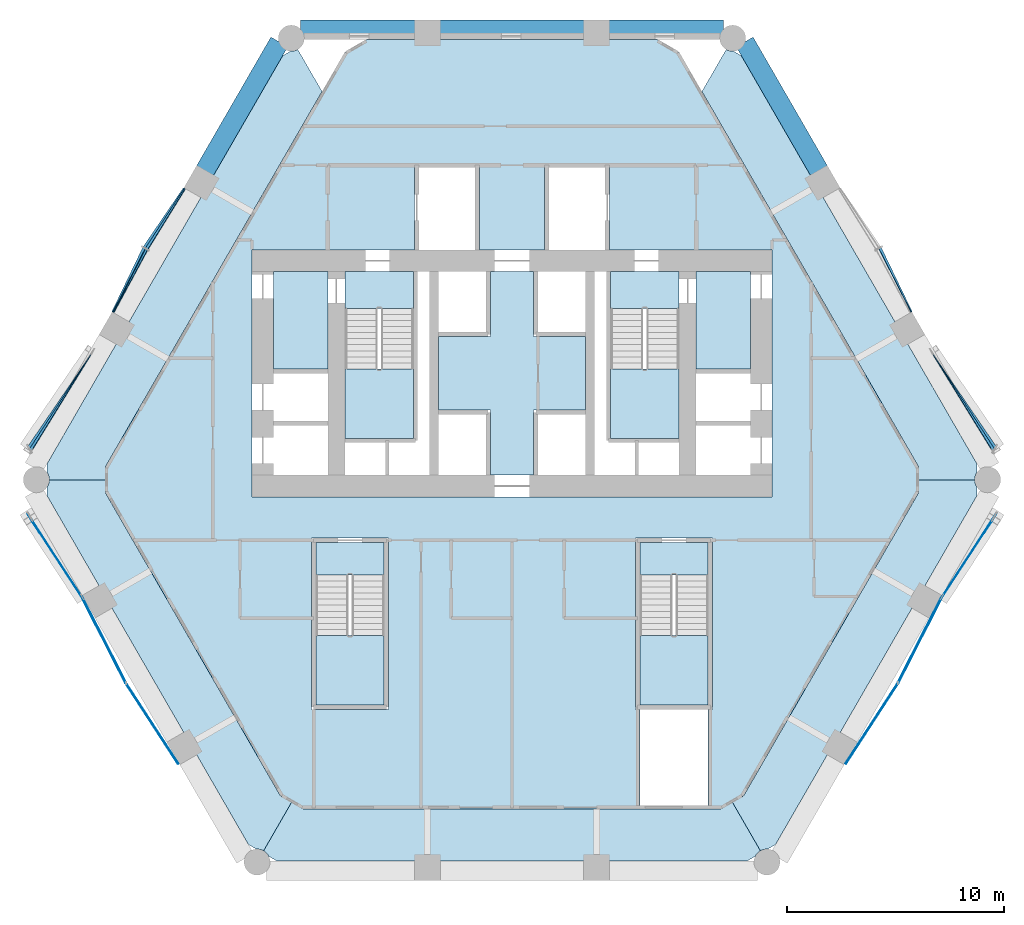
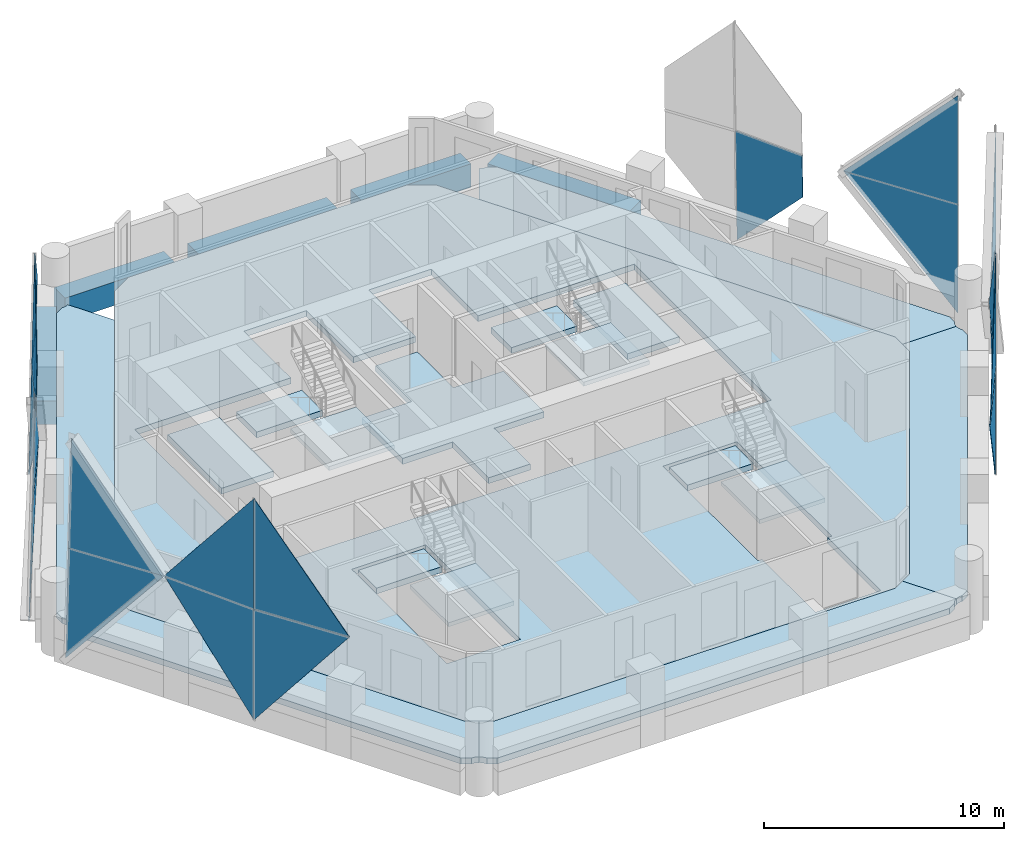
# One storey, part 8 of 17: 21 plates, 17 slabs, 5 beams, 19 elements without a shape of their own.
"""IFC4 building model written with IfcOpenShell, lengths in metres."""

from ifc_helpers import new_model, si_unit, direction, frame, origin, origin_2d, place, context, subcontext, project, spatial, polyline, rectangle, outline, extrude, material, layer, layer_set, material_profile, profile_set, type_object, element, aggregate, save


model = new_model("IFC4")

# Units and contexts
model_context = context("Model", 3, precision=1e-05, world=origin(), true_north=direction((0.0, 1.0)))
body_context = subcontext(model_context, "Body", "Model", "MODEL_VIEW")
ifc_project = project(units=[si_unit("LENGTHUNIT", "METRE"), si_unit("AREAUNIT", "SQUARE_METRE"), si_unit("VOLUMEUNIT", "CUBIC_METRE"), si_unit("PLANEANGLEUNIT", "RADIAN"), si_unit("MASSUNIT", "GRAM", prefix="KILO")], contexts=[model_context])

# Site, building, storey
site_placement = place(None, origin())
site = spatial("IfcSite", under=ifc_project, at=site_placement, CompositionType="ELEMENT")
building_placement = place(site_placement, origin())
building = spatial("IfcBuilding", under=site, at=building_placement, Name="Ostrander Bayou Hotel Tower", CompositionType="ELEMENT")
storey_placement = place(building_placement, frame((0.0, 0.0, 127.25)))
storey = spatial("IfcBuildingStorey", under=building, at=storey_placement, Name="L31", CompositionType="ELEMENT", Elevation=127.25)

# Beams
ifc_material_1 = material(Name="Concrete f'c 70 MPa", Category="concrete")
ifc_material_profile = material_profile(ifc_material_1, rectangle(XDim=0.89990234375, YDim=1.199951171875, at=origin_2d()))
ifc_profile_set = profile_set([ifc_material_profile], Name="Concrete f'c 70 MPa")
beam_type = type_object("IfcBeamType", Name="SP2 spandrel beam 900 x 1200 mm f'c 70 MPa", PredefinedType="SPANDREL", material=ifc_profile_set)
beam_1_placement = place(storey_placement, frame((9.7578125, 19.85009765625, -0.60009765625), z_axis=(-1.0, 0.0, 0.0), x_axis=(0.0, -1.0, 0.0)))
element("IfcBeam", 1, at=beam_1_placement, inside=storey, type_object=beam_type, Name="SP2 L31 N-1", PredefinedType="SPANDREL", context=body_context, shape_type="SweptSolid", body=[
    extrude(rectangle(XDim=0.89990234375, YDim=1.199951171875, at=origin_2d()), origin(), (0.0, 0.0, 1.0), 5.281005859375),
])
beam_2_placement = place(storey_placement, frame((3.336669921875, 19.85009765625, -0.60009765625), z_axis=(-1.0, 0.0, 0.0), x_axis=(0.0, -1.0, 0.0)))
element("IfcBeam", 2, at=beam_2_placement, inside=storey, type_object=beam_type, Name="SP2 L31 N-2", PredefinedType="SPANDREL", context=body_context, shape_type="SweptSolid", body=[
    extrude(rectangle(XDim=0.89990234375, YDim=1.199951171875, at=origin_2d()), origin(), (0.0, 0.0, 1.0), 6.67333984375),
])
beam_3_placement = place(storey_placement, frame((-4.476806640625, 19.85009765625, -0.60009765625), z_axis=(-1.0, 0.0, 0.0), x_axis=(0.0, -1.0, 0.0)))
element("IfcBeam", 3, at=beam_3_placement, inside=storey, type_object=beam_type, Name="SP2 L31 N-3", PredefinedType="SPANDREL", context=body_context, shape_type="SweptSolid", body=[
    extrude(rectangle(XDim=0.89990234375, YDim=1.199951171875, at=origin_2d()), origin(), (0.0, 0.0, 1.0), 5.281005859375),
])
for number, where, z_axis, x_axis, name in (
    (4, (-10.73388671875, 19.286376953125, -0.60009765625), (-0.500001814021, -0.866024356456, 0.0), (0.866024356456, -0.500001814021, 0.0), "SP2 L31 NW-1"),
    (5, (14.163330078125, 13.346435546875, -0.60009765625), (-0.500001814021, 0.866024356456, 0.0), (-0.866024356456, -0.500001814021, 0.0), "SP2 L31 NE-3"),
):
    element("IfcBeam", number, at=place(storey_placement, frame(where, z_axis=z_axis, x_axis=x_axis)), inside=storey, type_object=beam_type, Name=name, PredefinedType="SPANDREL", context=body_context, shape_type="SweptSolid", body=[
        extrude(rectangle(XDim=0.89990234375, YDim=1.199951171875, at=origin_2d()), origin(), (0.0, 0.0, 1.0), 6.85888671875),
    ])

# Curtain wall, plate
ifc_material_2 = material(Name="Aluminium and clear glass", Category="aluminium")
curtain_wall_type = type_object("IfcCurtainWallType", Name="CW-LAT lattice glazing", PredefinedType="NOTDEFINED", material=ifc_material_2)
curtain_wall_1_placement = place(storey_placement, origin())
curtain_wall_1 = element("IfcCurtainWall", 6, at=curtain_wall_1_placement, inside=storey, type_object=curtain_wall_type, Name="CW-LAT L31 NW 1", PredefinedType="NOTDEFINED")
ifc_material_3 = material(Name="Clear laminated glass", Category="glass")
ifc_layer_1 = layer(ifc_material_3, 0.028076171875)
ifc_layer_set_1 = layer_set([ifc_layer_1], Name="CW-LA glazing panel 28 mm")
plate_type = type_object("IfcPlateType", Name="CW-LA glazing panel 28 mm", PredefinedType="CURTAIN_PANEL", material=ifc_layer_set_1)
plate_1_placement = place(storey_placement, frame((-15.159423828125, 12.5654296875, 2.878173828125), z_axis=(-0.838664643494, 0.544213283707, 0.021760459349), x_axis=(-0.388463405339, -0.56968520667, -0.724261657147)))
plate_1 = element("IfcPlate", 7, at=plate_1_placement, type_object=plate_type, Name="CW-LAT panel 1", PredefinedType="CURTAIN_PANEL", context=body_context, shape_type="SweptSolid", body=[
    extrude(outline(polyline([(0.0, 0.0), (4.802511132549458, -4.440892098500626e-16), (0.7223330344284677, 3.8739947713482854), (-1.5548959111869025, 1.4808485363644042), (0.0, 0.0)])), origin(), (0.0, 0.0, -1.0), 0.028076171875),
])

curtain_wall_2_placement = place(storey_placement, origin())
curtain_wall_2 = element("IfcCurtainWall", 8, at=curtain_wall_2_placement, inside=storey, type_object=curtain_wall_type, Name="CW-LAT L31 NW 2", PredefinedType="NOTDEFINED")
plate_2_placement = place(storey_placement, frame((-15.080810546875, 12.5146484375, 7.177001953125), z_axis=(-0.838668477295, 0.54420649775, 0.021782401119), x_axis=(-0.361540231116, -0.586184489623, 0.72503545114)))
plate_2 = element("IfcPlate", 9, at=plate_2_placement, type_object=plate_type, Name="CW-LAT panel 2", PredefinedType="CURTAIN_PANEL", context=body_context, shape_type="SweptSolid", body=[
    extrude(outline(polyline([(0.0, 0.0), (4.789976066144692, 0.0), (0.7142149430020557, -3.878644352715165), (-1.5610211698020977, -1.4822062349512228), (0.0, 0.0)])), origin(), (0.0, 0.0, -1.0), 0.028076171875),
])

curtain_wall_3_placement = place(storey_placement, origin())
curtain_wall_3 = element("IfcCurtainWall", 10, at=curtain_wall_3_placement, inside=storey, type_object=curtain_wall_type, Name="CW-LAT L31 NW 3", PredefinedType="NOTDEFINED")
plate_3_placement = place(storey_placement, frame((-18.461669921875, 6.84619140625, 2.877685546875), z_axis=(-0.890619830153, 0.454226260057, 0.021790429377), x_axis=(0.299143269489, 0.621285816961, -0.724235623235)))
plate_3 = element("IfcPlate", 11, at=plate_3_placement, type_object=plate_type, Name="CW-LAT panel 3", PredefinedType="CURTAIN_PANEL", context=body_context, shape_type="SweptSolid", body=[
    extrude(outline(polyline([(0.0, 0.0), (4.8020039389450035, 0.0), (0.7217242848966112, -3.8738878101164542), (-1.5557985042347005, -1.4806164365959447), (0.0, 0.0)])), origin(), (0.0, 0.0, -1.0), 0.028076171875),
])
aggregate(curtain_wall_3, [plate_3])

curtain_wall_4_placement = place(storey_placement, origin())
curtain_wall_4 = element("IfcCurtainWall", 12, at=curtain_wall_4_placement, inside=storey, type_object=curtain_wall_type, Name="CW-LAT L31 NW 4", PredefinedType="NOTDEFINED")
plate_4_placement = place(storey_placement, frame((-18.37890625, 6.8017578125, 7.175537109375), z_axis=(-0.890638126844, 0.454188106349, 0.021837835579), x_axis=(0.32691133167, 0.606195528077, 0.725021353455)))
plate_4 = element("IfcPlate", 13, at=plate_4_placement, type_object=plate_type, Name="CW-LAT panel 4", PredefinedType="CURTAIN_PANEL", context=body_context, shape_type="SweptSolid", body=[
    extrude(outline(polyline([(0.0, 0.0), (4.79208070644431, -4.440892098500626e-16), (0.7161846501313411, 3.878502553101149), (-1.559208505953024, 1.4820005929577231), (0.0, 0.0)])), origin(), (0.0, 0.0, -1.0), 0.028076171875),
])
aggregate(curtain_wall_4, [plate_4])

# Plate
plate_5_placement = place(storey_placement, frame((-19.348388671875, 5.00390625, 5.02490234375), z_axis=(-0.838643953233, 0.544217169978, 0.022449757366), x_axis=(-0.38637037562, -0.565337513178, -0.72877392176)))
plate_5 = element("IfcPlate", 14, at=plate_5_placement, type_object=plate_type, Name="CW-LAT panel 5", PredefinedType="CURTAIN_PANEL", context=body_context, shape_type="SweptSolid", body=[
    extrude(outline(polyline([(0.0, 0.0), (7.718443034319231, 8.881784197001252e-16), (3.6609270418790736, 3.898365934711436), (0.0, 0.0)])), origin(), (0.0, 0.0, -1.0), 0.028076171875),
])

aggregate(curtain_wall_1, [plate_1, plate_5])

plate_6_placement = place(storey_placement, frame((-19.348388671875, 5.00390625, 5.02490234375), z_axis=(-0.838644193759, 0.544217326061, 0.022436984861), x_axis=(-0.36381654259, -0.590349724172, 0.720503106522)))
plate_6 = element("IfcPlate", 15, at=plate_6_placement, type_object=plate_type, Name="CW-LAT panel 6", PredefinedType="CURTAIN_PANEL", context=body_context, shape_type="SweptSolid", body=[
    extrude(outline(polyline([(0.0, 0.0), (7.807044756757508, 0.0), (3.707476717652524, -3.85412248831618), (0.0, 0.0)])), origin(), (0.0, 0.0, -1.0), 0.028076171875),
])

aggregate(curtain_wall_2, [plate_2, plate_6])

# Curtain wall, plate
curtain_wall_5_placement = place(storey_placement, origin())
curtain_wall_5 = element("IfcCurtainWall", 16, at=curtain_wall_5_placement, inside=storey, type_object=curtain_wall_type, Name="CW-LAT L31 SW 3", PredefinedType="NOTDEFINED")
plate_7_placement = place(storey_placement, frame((-19.831787109375, -6.31689453125, 5.02490234375), z_axis=(0.838223557689, 0.545325159154, 0.001318381066), x_axis=(-0.344073410956, 0.530750465282, -0.774543369655)))
plate_7 = element("IfcPlate", 17, at=plate_7_placement, type_object=plate_type, Name="CW-LAT panel 1", PredefinedType="CURTAIN_PANEL", context=body_context, shape_type="SweptSolid", body=[
    extrude(outline(polyline([(0.0, 0.0), (7.262343492151116, 4.440892098500626e-16), (2.815914760835813, 3.4481914723269056), (0.0, 0.0)])), origin(), (0.0, 0.0, -1.0), 0.028076171875),
])

curtain_wall_6_placement = place(storey_placement, origin())
curtain_wall_6 = element("IfcCurtainWall", 18, at=curtain_wall_6_placement, inside=storey, type_object=curtain_wall_type, Name="CW-LAT L31 SW 4", PredefinedType="NOTDEFINED")
plate_8_placement = place(storey_placement, frame((-19.831787109375, -6.31689453125, 5.02490234375), z_axis=(0.83822351693, 0.545325132637, 0.001354762231), x_axis=(-0.332590432574, 0.509255414783, 0.793752182154)))
plate_8 = element("IfcPlate", 19, at=plate_8_placement, type_object=plate_type, Name="CW-LAT panel 2", PredefinedType="CURTAIN_PANEL", context=body_context, shape_type="SweptSolid", body=[
    extrude(outline(polyline([(0.0, 0.0), (7.086594690972346, 4.440892098500626e-16), (2.7078242862494633, -3.5337074022786026), (0.0, 0.0)])), origin(), (0.0, 0.0, -1.0), 0.028076171875),
])

curtain_wall_7_placement = place(storey_placement, origin())
curtain_wall_7 = element("IfcCurtainWall", 20, at=curtain_wall_7_placement, inside=storey, type_object=curtain_wall_type, Name="CW-LAT L31 SW 1", PredefinedType="NOTDEFINED")
plate_9_placement = place(storey_placement, frame((-19.831787109375, -6.31689453125, 5.02490234375), z_axis=(-0.891390388024, -0.453236335854, 0.0), x_axis=(0.281261713993, -0.55316392032, -0.784156569505)))
plate_9 = element("IfcPlate", 21, at=plate_9_placement, type_object=plate_type, Name="CW-LAT panel 3", PredefinedType="CURTAIN_PANEL", context=body_context, shape_type="SweptSolid", body=[
    extrude(outline(polyline([(0.0, 0.0), (7.173312344432487, 0.0), (2.762431640965332, 3.4906670451048596), (0.0, 0.0)])), origin(), (0.0, 0.0, -1.0), 0.028076171875),
])
aggregate(curtain_wall_7, [plate_9])

curtain_wall_8_placement = place(storey_placement, origin())
curtain_wall_8 = element("IfcCurtainWall", 22, at=curtain_wall_8_placement, inside=storey, type_object=curtain_wall_type, Name="CW-LAT L31 SW 2", PredefinedType="NOTDEFINED")
plate_10_placement = place(storey_placement, frame((-19.831787109375, -6.31689453125, 5.02490234375), z_axis=(0.891390388024, 0.453236335854, 0.0), x_axis=(0.281261713993, -0.55316392032, 0.784156569505)))
plate_10 = element("IfcPlate", 23, at=plate_10_placement, type_object=plate_type, Name="CW-LAT panel 4", PredefinedType="CURTAIN_PANEL", context=body_context, shape_type="SweptSolid", body=[
    extrude(outline(polyline([(0.0, 0.0), (7.173312344432487, 0.0), (2.762431640965332, 3.4906670451048596), (0.0, 0.0)])), origin(), (0.0, 0.0, -1.0), 0.028076171875),
])
aggregate(curtain_wall_8, [plate_10])

# Plate
plate_11_placement = place(storey_placement, frame((-15.386474609375, -14.0166015625, 5.02490234375), z_axis=(0.838224286161, 0.545325633077, 0.0), x_axis=(-0.338427908251, 0.520200178763, -0.784129023141)))
plate_11 = element("IfcPlate", 24, at=plate_11_placement, type_object=plate_type, Name="CW-LAT panel 5", PredefinedType="CURTAIN_PANEL", context=body_context, shape_type="SweptSolid", body=[
    extrude(outline(polyline([(0.0, 0.0), (7.173564342091106, 0.0), (2.762838586925341, 3.4908628321258046), (0.0, 0.0)])), origin(), (0.0, 0.0, -1.0), 0.028076171875),
])

aggregate(curtain_wall_5, [plate_7, plate_11])

plate_12_placement = place(storey_placement, frame((-15.386474609375, -14.0166015625, 5.02490234375), z_axis=(-0.838224286161, -0.545325633077, 0.0), x_axis=(-0.338427908251, 0.520200178763, 0.784129023141)))
plate_12 = element("IfcPlate", 25, at=plate_12_placement, type_object=plate_type, Name="CW-LAT panel 6", PredefinedType="CURTAIN_PANEL", context=body_context, shape_type="SweptSolid", body=[
    extrude(outline(polyline([(0.0, 0.0), (7.173564342091106, 0.0), (2.762838586925341, 3.4908628321258046), (0.0, 0.0)])), origin(), (0.0, 0.0, -1.0), 0.028076171875),
])

aggregate(curtain_wall_6, [plate_8, plate_12])

# Curtain wall, plate
curtain_wall_9_placement = place(storey_placement, origin())
curtain_wall_9 = element("IfcCurtainWall", 26, at=curtain_wall_9_placement, inside=storey, type_object=curtain_wall_type, Name="CW-LAT L31 SE 1", PredefinedType="NOTDEFINED")
plate_13_placement = place(storey_placement, frame((15.386474609375, -14.0166015625, 5.02490234375), z_axis=(0.838224286161, -0.545325633077, 0.0), x_axis=(0.338427908251, 0.520200178763, -0.784129023141)))
plate_13 = element("IfcPlate", 27, at=plate_13_placement, type_object=plate_type, Name="CW-LAT panel 1", PredefinedType="CURTAIN_PANEL", context=body_context, shape_type="SweptSolid", body=[
    extrude(outline(polyline([(0.0, 0.0), (7.173564342091106, 0.0), (2.762838586925341, 3.4908628321258046), (0.0, 0.0)])), origin(), (0.0, 0.0, -1.0), 0.028076171875),
])

curtain_wall_10_placement = place(storey_placement, origin())
curtain_wall_10 = element("IfcCurtainWall", 28, at=curtain_wall_10_placement, inside=storey, type_object=curtain_wall_type, Name="CW-LAT L31 SE 2", PredefinedType="NOTDEFINED")
plate_14_placement = place(storey_placement, frame((15.386474609375, -14.0166015625, 5.02490234375), z_axis=(-0.838224286161, 0.545325633077, 0.0), x_axis=(0.338427908251, 0.520200178763, 0.784129023141)))
plate_14 = element("IfcPlate", 29, at=plate_14_placement, type_object=plate_type, Name="CW-LAT panel 2", PredefinedType="CURTAIN_PANEL", context=body_context, shape_type="SweptSolid", body=[
    extrude(outline(polyline([(0.0, 0.0), (7.173564342091106, 0.0), (2.762838586925341, 3.4908628321258046), (0.0, 0.0)])), origin(), (0.0, 0.0, -1.0), 0.028076171875),
])

curtain_wall_11_placement = place(storey_placement, origin())
curtain_wall_11 = element("IfcCurtainWall", 30, at=curtain_wall_11_placement, inside=storey, type_object=curtain_wall_type, Name="CW-LAT L31 SE 3", PredefinedType="NOTDEFINED")
plate_15_placement = place(storey_placement, frame((19.831787109375, -6.31689453125, 5.02490234375), z_axis=(-0.891390388024, 0.453236335854, 0.0), x_axis=(-0.281261713993, -0.55316392032, -0.784156569505)))
plate_15 = element("IfcPlate", 31, at=plate_15_placement, type_object=plate_type, Name="CW-LAT panel 3", PredefinedType="CURTAIN_PANEL", context=body_context, shape_type="SweptSolid", body=[
    extrude(outline(polyline([(0.0, 0.0), (7.173312344432487, 0.0), (2.762431640965332, 3.4906670451048596), (0.0, 0.0)])), origin(), (0.0, 0.0, -1.0), 0.028076171875),
])
aggregate(curtain_wall_11, [plate_15])

curtain_wall_12_placement = place(storey_placement, origin())
curtain_wall_12 = element("IfcCurtainWall", 32, at=curtain_wall_12_placement, inside=storey, type_object=curtain_wall_type, Name="CW-LAT L31 SE 4", PredefinedType="NOTDEFINED")
plate_16_placement = place(storey_placement, frame((19.831787109375, -6.31689453125, 5.02490234375), z_axis=(0.891390388024, -0.453236335854, 0.0), x_axis=(-0.281261713993, -0.55316392032, 0.784156569505)))
plate_16 = element("IfcPlate", 33, at=plate_16_placement, type_object=plate_type, Name="CW-LAT panel 4", PredefinedType="CURTAIN_PANEL", context=body_context, shape_type="SweptSolid", body=[
    extrude(outline(polyline([(0.0, 0.0), (7.173312344432487, 0.0), (2.762431640965332, 3.4906670451048596), (0.0, 0.0)])), origin(), (0.0, 0.0, -1.0), 0.028076171875),
])
aggregate(curtain_wall_12, [plate_16])

# Plate
plate_17_placement = place(storey_placement, frame((19.831787109375, -6.31689453125, 5.02490234375), z_axis=(-0.838223557689, 0.545325159154, 0.001318381066), x_axis=(0.344073410956, 0.530750465282, -0.774543369655)))
plate_17 = element("IfcPlate", 34, at=plate_17_placement, type_object=plate_type, Name="CW-LAT panel 5", PredefinedType="CURTAIN_PANEL", context=body_context, shape_type="SweptSolid", body=[
    extrude(outline(polyline([(0.0, 0.0), (7.262343492151116, -4.440892098500626e-16), (2.815914760835813, -3.4481914723269056), (0.0, 0.0)])), origin(), (0.0, 0.0, -1.0), 0.028076171875),
])

aggregate(curtain_wall_9, [plate_13, plate_17])

plate_18_placement = place(storey_placement, frame((19.831787109375, -6.31689453125, 5.02490234375), z_axis=(-0.83822351693, 0.545325132637, 0.001354762231), x_axis=(0.332590432574, 0.509255414783, 0.793752182154)))
plate_18 = element("IfcPlate", 35, at=plate_18_placement, type_object=plate_type, Name="CW-LAT panel 6", PredefinedType="CURTAIN_PANEL", context=body_context, shape_type="SweptSolid", body=[
    extrude(outline(polyline([(0.0, 0.0), (7.086594690972346, -4.440892098500626e-16), (2.7078242862494633, 3.5337074022786026), (0.0, 0.0)])), origin(), (0.0, 0.0, -1.0), 0.028076171875),
])

aggregate(curtain_wall_10, [plate_14, plate_18])

# Curtain wall, plate
curtain_wall_13_placement = place(storey_placement, origin())
curtain_wall_13 = element("IfcCurtainWall", 36, at=curtain_wall_13_placement, inside=storey, type_object=curtain_wall_type, Name="CW-LAT L31 NE 3", PredefinedType="NOTDEFINED")
plate_19_placement = place(storey_placement, frame((19.348388671875, 5.00390625, 5.02490234375), z_axis=(0.838643953233, 0.544217169978, 0.022449757366), x_axis=(0.38637037562, -0.565337513178, -0.72877392176)))
plate_19 = element("IfcPlate", 37, at=plate_19_placement, type_object=plate_type, Name="CW-LAT panel 1", PredefinedType="CURTAIN_PANEL", context=body_context, shape_type="SweptSolid", body=[
    extrude(outline(polyline([(0.0, 0.0), (7.718443034319231, -8.881784197001252e-16), (3.6609270418790736, -3.898365934711436), (0.0, 0.0)])), origin(), (0.0, 0.0, -1.0), 0.028076171875),
])
aggregate(curtain_wall_13, [plate_19])

curtain_wall_14_placement = place(storey_placement, origin())
curtain_wall_14 = element("IfcCurtainWall", 38, at=curtain_wall_14_placement, inside=storey, type_object=curtain_wall_type, Name="CW-LAT L31 NE 4", PredefinedType="NOTDEFINED")
plate_20_placement = place(storey_placement, frame((19.348388671875, 5.00390625, 5.02490234375), z_axis=(0.838644193759, 0.544217326061, 0.022436984861), x_axis=(0.36381654259, -0.590349724172, 0.720503106522)))
plate_20 = element("IfcPlate", 39, at=plate_20_placement, type_object=plate_type, Name="CW-LAT panel 2", PredefinedType="CURTAIN_PANEL", context=body_context, shape_type="SweptSolid", body=[
    extrude(outline(polyline([(0.0, 0.0), (7.807044756757508, 0.0), (3.707476717652524, 3.85412248831618), (0.0, 0.0)])), origin(), (0.0, 0.0, -1.0), 0.028076171875),
])
aggregate(curtain_wall_14, [plate_20])

curtain_wall_15_placement = place(storey_placement, origin())
curtain_wall_15 = element("IfcCurtainWall", 40, at=curtain_wall_15_placement, inside=storey, type_object=curtain_wall_type, Name="CW-LAT L31 NE 1", PredefinedType="NOTDEFINED")
plate_21_placement = place(storey_placement, frame((18.4619140625, 6.845703125, 2.878173828125), z_axis=(0.890619034735, 0.454227807682, 0.021790679128), x_axis=(-0.299148374202, 0.621293179342, -0.724227198824)))
plate_21 = element("IfcPlate", 41, at=plate_21_placement, type_object=plate_type, Name="CW-LAT panel 3", PredefinedType="CURTAIN_PANEL", context=body_context, shape_type="SweptSolid", body=[
    extrude(outline(polyline([(0.0, 0.0), (4.802733965266581, 0.0), (0.7225017876997673, 3.8739378154073396), (-1.554673931739496, 1.48108973658036), (0.0, 0.0)])), origin(), (0.0, 0.0, -1.0), 0.028076171875),
])
aggregate(curtain_wall_15, [plate_21])

# Slabs
ifc_material_4 = material(Name="Concrete f'c 40 MPa", Category="concrete")
ifc_layer_2 = layer(ifc_material_4, 0.300048828125)
ifc_layer_set_2 = layer_set([ifc_layer_2], Name="SL1 floor slab 300 mm f'c 40 MPa")
slab_type_1 = type_object("IfcSlabType", Name="SL1 floor slab 300 mm f'c 40 MPa", PredefinedType="FLOOR", material=ifc_layer_set_2)
slab_1_placement = place(storey_placement, frame((0.0, 0.0, -0.300048828125)))
element("IfcSlab", 42, at=slab_1_placement, inside=storey, type_object=slab_type_1, Name="SL1 L31 1", PredefinedType="FLOOR", context=body_context, shape_type="SweptSolid", body=[
    extrude(outline(polyline([(-3.336669921875, 19.39990234375), (3.336669921875, 19.39990234375), (4.476806640625, 19.39990234375), (6.6845703125, 19.39990234375), (7.723876953125, 18.800048828125), (18.757568359375, -0.31103515625), (18.757568359375, -1.510986328125), (10.687255859375, -15.489013671875), (9.648193359375, -16.089111328125), (-9.648193359375, -16.089111328125), (-10.687255859375, -15.489013671875), (-18.757568359375, -1.510986328125), (-18.757568359375, -0.31103515625), (-7.723876953125, 18.800048828125), (-6.6845703125, 19.39990234375), (-4.476806640625, 19.39990234375), (-3.336669921875, 19.39990234375)]), holes=[polyline([(-12.0, -1.699951171875), (12.0, -1.699951171875), (12.0, 9.699951171875), (4.5, 9.699951171875), (4.5, 13.60009765625), (1.5, 13.60009765625), (1.5, 9.699951171875), (-1.5, 9.699951171875), (-1.5, 13.60009765625), (-4.5, 13.60009765625), (-4.5, 9.699951171875), (-12.0, 9.699951171875), (-12.0, -1.699951171875)]), polyline([(9.050048828125, -11.5), (9.25, -11.5), (9.25, -3.60009765625), (5.699951171875, -3.60009765625), (5.699951171875, -11.5), (5.89990234375, -11.5), (5.89990234375, -15.93896484375), (9.050048828125, -15.93896484375), (9.050048828125, -11.5)]), polyline([(-5.699951171875, -3.60009765625), (-9.25, -3.60009765625), (-9.25, -11.5), (-5.699951171875, -11.5), (-5.699951171875, -3.60009765625)])]), origin(), (0.0, 0.0, 1.0), 0.300048828125),
])
slab_2_placement = place(storey_placement, frame((0.0, 0.0, -0.300048828125)))
element("IfcSlab", 43, at=slab_2_placement, inside=storey, type_object=slab_type_1, Name="cslab:L31:001", PredefinedType="FLOOR", context=body_context, shape_type="SweptSolid", body=[
    extrude(outline(polyline([(-3.39990234375, 5.699951171875), (-1.0, 5.699951171875), (-1.0, 8.699951171875), (1.0, 8.699951171875), (1.0, 5.699951171875), (3.39990234375, 5.699951171875), (3.39990234375, 2.300048828125), (1.0, 2.300048828125), (1.0, -0.699951171875), (-1.0, -0.699951171875), (-1.0, 2.300048828125), (-3.39990234375, 2.300048828125), (-3.39990234375, 5.699951171875)])), origin(), (0.0, 0.0, 1.0), 0.300048828125),
])
slab_3_placement = place(storey_placement, frame((0.0, 0.0, -0.300048828125)))
element("IfcSlab", 44, at=slab_3_placement, inside=storey, type_object=slab_type_1, Name="cslab:L31:002", PredefinedType="FLOOR", context=body_context, shape_type="SweptSolid", body=[
    extrude(outline(polyline([(-8.5, 4.199951171875), (-8.5, 8.699951171875), (-11.0, 8.699951171875), (-11.0, 4.199951171875), (-8.5, 4.199951171875)])), origin(), (0.0, 0.0, 1.0), 0.300048828125),
])
slab_4_placement = place(storey_placement, frame((0.0, 0.0, -0.300048828125)))
element("IfcSlab", 45, at=slab_4_placement, inside=storey, type_object=slab_type_1, Name="cslab:L31:003", PredefinedType="FLOOR", context=body_context, shape_type="SweptSolid", body=[
    extrude(outline(polyline([(11.0, 4.199951171875), (11.0, 8.699951171875), (8.5, 8.699951171875), (8.5, 4.199951171875), (11.0, 4.199951171875)])), origin(), (0.0, 0.0, 1.0), 0.300048828125),
])
slab_5_placement = place(storey_placement, frame((0.0, 0.0, -0.300048828125)))
element("IfcSlab", 46, at=slab_5_placement, inside=storey, type_object=slab_type_1, Name="cslab:L31:004", PredefinedType="FLOOR", context=body_context, shape_type="SweptSolid", body=[
    extrude(outline(polyline([(-4.550048828125, 7.0), (-4.550048828125, 8.699951171875), (-7.699951171875, 8.699951171875), (-7.699951171875, 7.0), (-4.550048828125, 7.0)])), origin(), (0.0, 0.0, 1.0), 0.300048828125),
])
slab_6_placement = place(storey_placement, frame((0.0, 0.0, -0.300048828125)))
element("IfcSlab", 47, at=slab_6_placement, inside=storey, type_object=slab_type_1, Name="cslab:L31:005", PredefinedType="FLOOR", context=body_context, shape_type="SweptSolid", body=[
    extrude(outline(polyline([(7.699951171875, 7.0), (7.699951171875, 8.699951171875), (4.550048828125, 8.699951171875), (4.550048828125, 7.0), (7.699951171875, 7.0)])), origin(), (0.0, 0.0, 1.0), 0.300048828125),
])
slab_7_placement = place(storey_placement, frame((0.0, 0.0, -0.300048828125)))
element("IfcSlab", 48, at=slab_7_placement, inside=storey, type_object=slab_type_1, Name="cslab:L31:006", PredefinedType="FLOOR", context=body_context, shape_type="SweptSolid", body=[
    extrude(outline(polyline([(9.050048828125, -5.300048828125), (9.050048828125, -3.800048828125), (5.89990234375, -3.800048828125), (5.89990234375, -5.300048828125), (9.050048828125, -5.300048828125)])), origin(), (0.0, 0.0, 1.0), 0.300048828125),
])
slab_8_placement = place(storey_placement, frame((0.0, 0.0, -0.300048828125)))
element("IfcSlab", 49, at=slab_8_placement, inside=storey, type_object=slab_type_1, Name="cslab:L31:007", PredefinedType="FLOOR", context=body_context, shape_type="SweptSolid", body=[
    extrude(outline(polyline([(-5.89990234375, -5.300048828125), (-5.89990234375, -3.800048828125), (-9.050048828125, -3.800048828125), (-9.050048828125, -5.300048828125), (-5.89990234375, -5.300048828125)])), origin(), (0.0, 0.0, 1.0), 0.300048828125),
])
ifc_material_5 = material(Name="Concrete f'c 40 MPa", Category="concrete")
ifc_layer_3 = layer(ifc_material_5, 0.300048828125)
ifc_layer_set_3 = layer_set([ifc_layer_3], Name="SL4 loggia slab 300 mm f'c 40 MPa")
slab_type_2 = type_object("IfcSlabType", Name="SL4 loggia slab 300 mm f'c 40 MPa", PredefinedType="FLOOR", material=ifc_layer_set_3)
slab_9_placement = place(storey_placement, frame((0.0, 0.0, -0.300048828125)))
element("IfcSlab", 50, at=slab_9_placement, inside=storey, type_object=slab_type_2, Name="SL4 LOGGIA L31 NW 1", PredefinedType="FLOOR", context=body_context, shape_type="SweptSolid", body=[
    extrude(outline(polyline([(-21.34326171875, -0.910888671875), (-21.354736328125, -0.7939453125), (-21.388916015625, -0.681396484375), (-21.442138671875, -0.58154296875), (-21.442138671875, -0.160888671875), (-18.250244140625, 5.367431640625), (-17.680419921875, 6.354736328125), (-14.343505859375, 12.13427734375), (-13.773681640625, 13.12158203125), (-10.581787109375, 18.64990234375), (-10.214599609375, 18.862060546875), (-10.1826171875, 18.85888671875), (-10.065673828125, 18.870361328125), (-9.952880859375, 18.904541015625), (-9.8837890625, 18.94140625), (-8.762939453125, 17.0), (-18.757568359375, -0.31103515625), (-18.757568359375, -0.910888671875), (-21.34326171875, -0.910888671875)])), origin(), (0.0, 0.0, 1.0), 0.300048828125),
])
slab_10_placement = place(storey_placement, frame((0.0, 0.0, -0.300048828125)))
element("IfcSlab", 51, at=slab_10_placement, inside=storey, type_object=slab_type_2, Name="SL4 LOGGIA L31 SW 1", PredefinedType="FLOOR", context=body_context, shape_type="SweptSolid", body=[
    extrude(outline(polyline([(-10.167724609375, -15.7890625), (-11.4619140625, -18.030517578125), (-11.531005859375, -17.993408203125), (-11.6435546875, -17.95947265625), (-11.760498046875, -17.947998046875), (-11.79248046875, -17.950927734375), (-12.15966796875, -17.739013671875), (-14.5625, -13.576904296875), (-15.132568359375, -12.589599609375), (-18.46923828125, -6.810302734375), (-19.039306640625, -5.822998046875), (-21.442138671875, -1.660888671875), (-21.442138671875, -1.240478515625), (-21.388916015625, -1.140625), (-21.354736328125, -1.028076171875), (-21.34326171875, -0.910888671875), (-18.757568359375, -0.910888671875), (-18.757568359375, -1.510986328125), (-10.687255859375, -15.489013671875), (-10.167724609375, -15.7890625)])), origin(), (0.0, 0.0, 1.0), 0.300048828125),
])
slab_11_placement = place(storey_placement, frame((0.0, 0.0, -0.300048828125)))
element("IfcSlab", 52, at=slab_11_placement, inside=storey, type_object=slab_type_2, Name="SL4 LOGGIA L31 S 1", PredefinedType="FLOOR", context=body_context, shape_type="SweptSolid", body=[
    extrude(outline(polyline([(10.167724609375, -15.7890625), (11.4619140625, -18.030517578125), (11.42724609375, -18.049072265625), (11.336181640625, -18.12353515625), (11.26171875, -18.214599609375), (11.228515625, -18.276611328125), (10.860595703125, -18.489013671875), (4.476806640625, -18.489013671875), (3.336669921875, -18.489013671875), (0.0, -18.489013671875), (-3.336669921875, -18.489013671875), (-4.476806640625, -18.489013671875), (-10.860595703125, -18.489013671875), (-11.228515625, -18.276611328125), (-11.26171875, -18.214599609375), (-11.336181640625, -18.12353515625), (-11.42724609375, -18.049072265625), (-11.4619140625, -18.030517578125), (-10.167724609375, -15.7890625), (-9.648193359375, -16.089111328125), (9.648193359375, -16.089111328125), (10.167724609375, -15.7890625)])), origin(), (0.0, 0.0, 1.0), 0.300048828125),
])
slab_12_placement = place(storey_placement, frame((0.0, 0.0, -0.300048828125)))
element("IfcSlab", 53, at=slab_12_placement, inside=storey, type_object=slab_type_2, Name="SL4 LOGGIA L31 SE 1", PredefinedType="FLOOR", context=body_context, shape_type="SweptSolid", body=[
    extrude(outline(polyline([(18.757568359375, -0.910888671875), (21.34326171875, -0.910888671875), (21.354736328125, -1.028076171875), (21.388916015625, -1.140625), (21.442138671875, -1.240478515625), (21.442138671875, -1.660888671875), (19.039306640625, -5.822998046875), (18.46923828125, -6.810302734375), (15.132568359375, -12.589599609375), (14.5625, -13.576904296875), (12.15966796875, -17.739013671875), (11.79248046875, -17.950927734375), (11.760498046875, -17.947998046875), (11.6435546875, -17.95947265625), (11.531005859375, -17.993408203125), (11.4619140625, -18.030517578125), (10.167724609375, -15.7890625), (10.687255859375, -15.489013671875), (18.757568359375, -1.510986328125), (18.757568359375, -0.910888671875)])), origin(), (0.0, 0.0, 1.0), 0.300048828125),
])
slab_13_placement = place(storey_placement, frame((0.0, 0.0, -0.300048828125)))
element("IfcSlab", 54, at=slab_13_placement, inside=storey, type_object=slab_type_2, Name="SL4 LOGGIA L31 NE 1", PredefinedType="FLOOR", context=body_context, shape_type="SweptSolid", body=[
    extrude(outline(polyline([(9.8837890625, 18.94140625), (9.952880859375, 18.904541015625), (10.065673828125, 18.870361328125), (10.1826171875, 18.85888671875), (10.214599609375, 18.862060546875), (10.581787109375, 18.64990234375), (12.112060546875, 15.999267578125), (12.633056640625, 15.096923828125), (13.773681640625, 13.12158203125), (14.343505859375, 12.13427734375), (16.31494140625, 8.719482421875), (17.680419921875, 6.354736328125), (18.250244140625, 5.367431640625), (18.5244140625, 4.89306640625), (21.442138671875, -0.160888671875), (21.442138671875, -0.58154296875), (21.388916015625, -0.681396484375), (21.354736328125, -0.7939453125), (21.34326171875, -0.910888671875), (18.757568359375, -0.910888671875), (18.757568359375, -0.31103515625), (8.762939453125, 17.0), (9.8837890625, 18.94140625)])), origin(), (0.0, 0.0, 1.0), 0.300048828125),
])

# Stair, slab
ifc_material_6 = material(Name="Concrete f'c 45 MPa", Category="concrete")
stair_type = type_object("IfcStairType", Name="ST1 exit stair 1500 mm f'c 45 MPa", PredefinedType="HALF_TURN_STAIR", material=ifc_material_6)
stair_1_placement = place(storey_placement, origin())
stair_1 = element("IfcStair", 55, at=stair_1_placement, inside=storey, type_object=stair_type, Name="L31 exit stair A", PredefinedType="HALF_TURN_STAIR")
ifc_material_7 = material(Name="Concrete f'c 45 MPa", Category="concrete")
ifc_layer_4 = layer(ifc_material_7, 0.199951171875)
ifc_layer_set_4 = layer_set([ifc_layer_4], Name="SL8 stair landing 200 mm f'c 45 MPa")
slab_type_3 = type_object("IfcSlabType", Name="SL8 stair landing 200 mm f'c 45 MPa", PredefinedType="LANDING", material=ifc_layer_set_4)
slab_14_placement = place(storey_placement, frame((0.0, 0.0, 1.675048828125)))
slab_14 = element("IfcSlab", 56, at=slab_14_placement, type_object=slab_type_3, Name="STA landing 1", PredefinedType="LANDING", context=body_context, shape_type="SweptSolid", body=[
    extrude(outline(polyline([(-7.699951171875, 4.199951171875), (-7.699951171875, 1.0), (-4.550048828125, 1.0), (-4.550048828125, 4.199951171875), (-7.699951171875, 4.199951171875)])), origin(), (0.0, 0.0, 1.0), 0.199951171875),
])
aggregate(stair_1, [slab_14])

stair_2_placement = place(storey_placement, origin())
stair_2 = element("IfcStair", 57, at=stair_2_placement, inside=storey, type_object=stair_type, Name="L31 exit stair B", PredefinedType="HALF_TURN_STAIR")
slab_15_placement = place(storey_placement, frame((0.0, 0.0, 1.675048828125)))
slab_15 = element("IfcSlab", 58, at=slab_15_placement, type_object=slab_type_3, Name="STB landing 1", PredefinedType="LANDING", context=body_context, shape_type="SweptSolid", body=[
    extrude(outline(polyline([(4.550048828125, 4.199951171875), (4.550048828125, 1.0), (7.699951171875, 1.0), (7.699951171875, 4.199951171875), (4.550048828125, 4.199951171875)])), origin(), (0.0, 0.0, 1.0), 0.199951171875),
])
aggregate(stair_2, [slab_15])

stair_3_placement = place(storey_placement, origin())
stair_3 = element("IfcStair", 59, at=stair_3_placement, inside=storey, type_object=stair_type, Name="L31 exit stair C", PredefinedType="HALF_TURN_STAIR")
slab_16_placement = place(storey_placement, frame((0.0, 0.0, 1.675048828125)))
slab_16 = element("IfcSlab", 60, at=slab_16_placement, type_object=slab_type_3, Name="STC landing 1", PredefinedType="LANDING", context=body_context, shape_type="SweptSolid", body=[
    extrude(outline(polyline([(5.89990234375, -8.10009765625), (5.89990234375, -11.300048828125), (9.050048828125, -11.300048828125), (9.050048828125, -8.10009765625), (5.89990234375, -8.10009765625)])), origin(), (0.0, 0.0, 1.0), 0.199951171875),
])
aggregate(stair_3, [slab_16])

stair_4_placement = place(storey_placement, origin())
stair_4 = element("IfcStair", 61, at=stair_4_placement, inside=storey, type_object=stair_type, Name="L31 exit stair D", PredefinedType="HALF_TURN_STAIR")
slab_17_placement = place(storey_placement, frame((0.0, 0.0, 1.675048828125)))
slab_17 = element("IfcSlab", 62, at=slab_17_placement, type_object=slab_type_3, Name="STD landing 1", PredefinedType="LANDING", context=body_context, shape_type="SweptSolid", body=[
    extrude(outline(polyline([(-9.050048828125, -8.10009765625), (-9.050048828125, -11.300048828125), (-5.89990234375, -11.300048828125), (-5.89990234375, -8.10009765625), (-9.050048828125, -8.10009765625)])), origin(), (0.0, 0.0, 1.0), 0.199951171875),
])
aggregate(stair_4, [slab_17])

save(model, "model.ifc")
